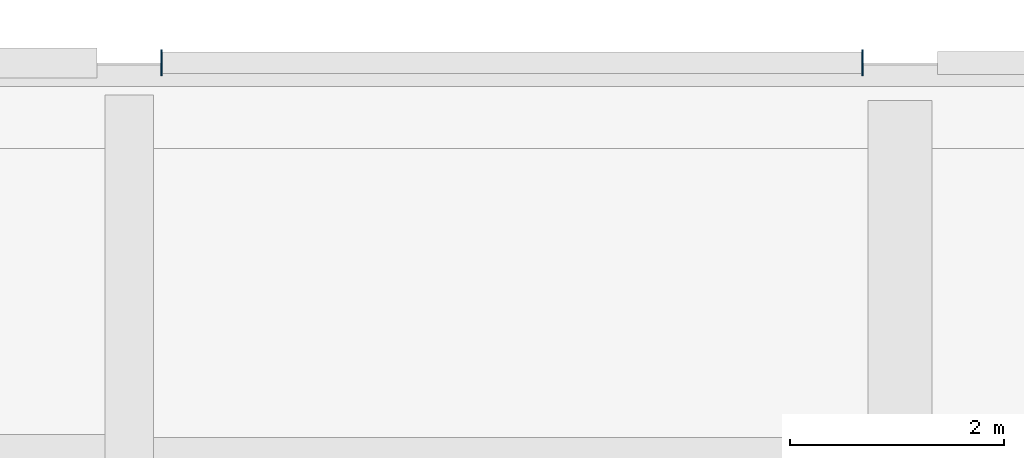
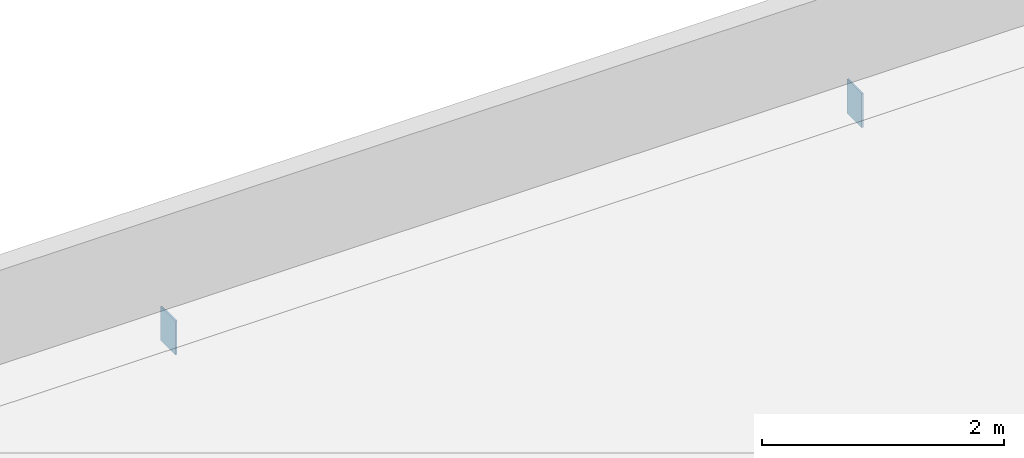
# One storey, part 157 of 186: 2 plates.
"""IFC4 building model written with IfcOpenShell, lengths in metres."""

from ifc_helpers import new_model, si_unit, direction, frame, origin, origin_2d, place, context, subcontext, project, spatial, rectangle, extrude, material, layer, layer_set, type_object, element, save


model = new_model("IFC4")

# Units and contexts
model_context = context("Model", 3, precision=1e-05, world=origin(), true_north=direction((0.0, 1.0)))
body_context = subcontext(model_context, "Body", "Model", "MODEL_VIEW")
ifc_project = project(units=[si_unit("LENGTHUNIT", "METRE"), si_unit("AREAUNIT", "SQUARE_METRE"), si_unit("VOLUMEUNIT", "CUBIC_METRE"), si_unit("PLANEANGLEUNIT", "RADIAN"), si_unit("MASSUNIT", "GRAM", prefix="KILO")], contexts=[model_context])

# Site, building, storey
site_placement = place(None, origin())
site = spatial("IfcSite", under=ifc_project, at=site_placement, CompositionType="ELEMENT")
building_placement = place(site_placement, origin())
building = spatial("IfcBuilding", under=site, at=building_placement, Name="Calvrana Isthmian Art Gallery", CompositionType="ELEMENT")
storey_placement = place(building_placement, frame((0.0, 0.0, 5.39990234375)))
storey = spatial("IfcBuildingStorey", under=building, at=storey_placement, Name="L01", CompositionType="ELEMENT", Elevation=5.39990234375)

# Plates
ifc_material = material(Name="Steel ASTM A572 Gr 50", Category="steel")
ifc_layer = layer(ifc_material, 0.01611328125, Name="Steel ASTM A572 Gr 50")
ifc_layer_set = layer_set([ifc_layer], Name="Steel ASTM A572 Gr 50")
plate_type = type_object("IfcPlateType", Name="PL-CAP-16", PredefinedType="SHEET", material=ifc_layer_set)
for number, where, z_axis, x_axis, name in (
    (1, (149.10009765625, 112.800048828125, -0.569580078125), (0.0, 0.0, 1.0), (1.0, 0.0, 0.0), "Hollow section end cap plate 437"),
    (2, (155.64990234375, 112.800048828125, -0.569580078125), (0.0, 0.0, 1.0), (1.0, 0.0, 0.0), "Hollow section end cap plate 438"),
):
    element("IfcPlate", number, at=place(storey_placement, frame(where, z_axis=z_axis, x_axis=x_axis)), inside=storey, type_object=plate_type, Name=name, PredefinedType="SHEET", context=body_context, shape_type="SweptSolid", body=[
        extrude(rectangle(XDim=0.01611328125, YDim=0.2431640625, at=origin_2d()), origin(), (0.0, 0.0, 1.0), 0.3447265625),
    ])

save(model, "model.ifc")
